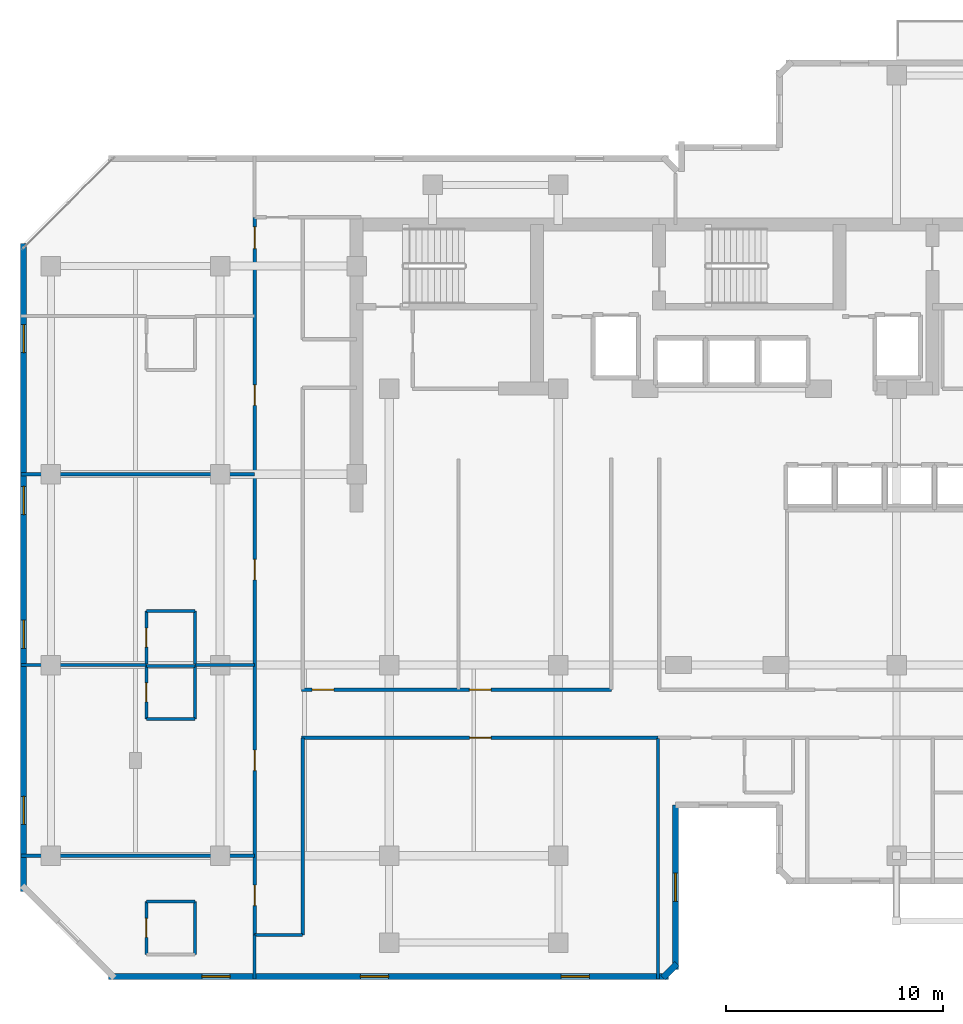
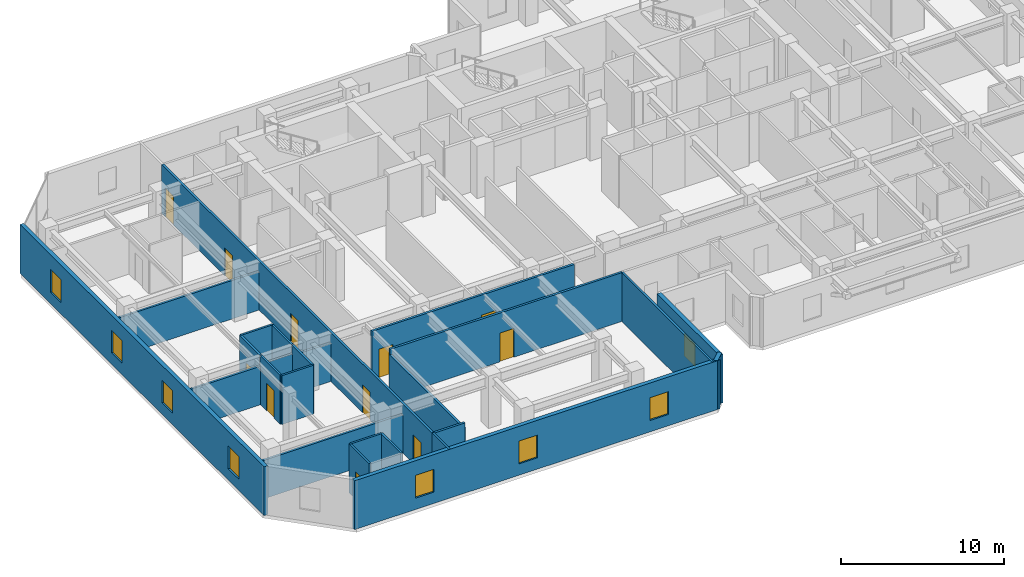
# One storey, part 4 of 10: 25 walls, 11 doors, 8 windows, 19 openings.
"""IFC4 building model written with IfcOpenShell, lengths in metres."""

from ifc_helpers import new_model, si_unit, direction, frame, frame_2d, origin, place, context, subcontext, project, spatial, rectangle, extrude, material, layer, layer_set, type_object, element, fill, save


model = new_model("IFC4")

# Units and contexts
model_context = context("Model", 3, precision=1e-05, world=origin(), true_north=direction((0.0, 1.0)))
body_context = subcontext(model_context, "Body", "Model", "MODEL_VIEW")
ifc_project = project(units=[si_unit("LENGTHUNIT", "METRE"), si_unit("AREAUNIT", "SQUARE_METRE"), si_unit("VOLUMEUNIT", "CUBIC_METRE"), si_unit("PLANEANGLEUNIT", "RADIAN"), si_unit("MASSUNIT", "GRAM", prefix="KILO")], contexts=[model_context])

# Site, building, storey
site_placement = place(None, origin())
site = spatial("IfcSite", under=ifc_project, at=site_placement, CompositionType="ELEMENT")
building_placement = place(site_placement, origin())
building = spatial("IfcBuilding", under=site, at=building_placement, Name="Kestravale Grand Hotel", CompositionType="ELEMENT")
storey_placement = place(building_placement, frame((0.0, 0.0, 224.10009765625)))
storey = spatial("IfcBuildingStorey", under=building, at=storey_placement, Name="L56", CompositionType="ELEMENT", Elevation=224.10009765625)

# Wall, openings, windows
ifc_material_1 = material(Name="Precast concrete f'c 45 MPa", Category="concrete")
ifc_layer_1 = layer(ifc_material_1, 0.280029296875)
ifc_layer_set_1 = layer_set([ifc_layer_1], Name="EW-PREC-280")
wall_type_1 = type_object("IfcWallType", Name="EW-PREC-280", PredefinedType="SOLIDWALL", material=ifc_layer_set_1)
wall_1_placement = place(storey_placement, frame((10.4599609375, 5.639892578125, 0.0), z_axis=(0.0, 0.0, 1.0), x_axis=(1.0, 0.0, 0.0)))
wall_1 = element("IfcWall", 1, at=wall_1_placement, inside=storey, type_object=wall_type_1, Name="L56 fluted precast facade wall 1", PredefinedType="SOLIDWALL", context=body_context, shape_type="SweptSolid", body=[
    extrude(rectangle(XDim=25.830078125, YDim=0.280029296875, at=frame_2d((12.9150390625, 0.0))), origin(), (0.0, 0.0, 1.0), 3.64990234375),
])
opening_1_placement = place(wall_1_placement, frame((4.304931640625, 0.0, 0.85009765625)))
opening_1 = element("IfcOpeningElement", 2, at=opening_1_placement, cuts=wall_1, Name="Opening W-GUEST-1300", PredefinedType="OPENING", context=body_context, shape_type="SweptSolid", body=[
    extrude(rectangle(XDim=1.300048828125, YDim=1.699951171875, at=frame_2d((0.64990234375, 0.85009765625))), frame((0.0, 0.14990234375, 0.0), z_axis=(0.0, -1.0, 0.0), x_axis=(1.0, 0.0, 0.0)), (0.0, 0.0, 1.0), 0.300048828125),
])
opening_2_placement = place(wall_1_placement, frame((11.614990234375, 0.0, 0.85009765625)))
opening_2 = element("IfcOpeningElement", 3, at=opening_2_placement, cuts=wall_1, Name="Opening W-GUEST-1300", PredefinedType="OPENING", context=body_context, shape_type="SweptSolid", body=[
    extrude(rectangle(XDim=1.300048828125, YDim=1.699951171875, at=frame_2d((0.64990234375, 0.85009765625))), frame((0.0, 0.14990234375, 0.0), z_axis=(0.0, -1.0, 0.0), x_axis=(1.0, 0.0, 0.0)), (0.0, 0.0, 1.0), 0.300048828125),
])
opening_3_placement = place(wall_1_placement, frame((20.875, 0.0, 0.85009765625)))
opening_3 = element("IfcOpeningElement", 4, at=opening_3_placement, cuts=wall_1, Name="Opening W-GUEST-1300", PredefinedType="OPENING", context=body_context, shape_type="SweptSolid", body=[
    extrude(rectangle(XDim=1.300048828125, YDim=1.699951171875, at=frame_2d((0.64990234375, 0.85009765625))), frame((0.0, 0.14990234375, 0.0), z_axis=(0.0, -1.0, 0.0), x_axis=(1.0, 0.0, 0.0)), (0.0, 0.0, 1.0), 0.300048828125),
])
ifc_material_2 = material(Name="Insulated low-E double glazing in aluminium frame", Category="aluminium")
window_type = type_object("IfcWindowType", Name="W-GUEST-1300", PartitioningType="SINGLE_PANEL", PredefinedType="WINDOW", material=ifc_material_2)
window_1_placement = place(opening_1_placement, origin())
window_1 = element("IfcWindow", 5, at=window_1_placement, inside=storey, type_object=window_type, Name="L56 exterior window 1.1", OverallHeight=1.699951171875, OverallWidth=1.300048828125, PartitioningType="SINGLE_PANEL", PredefinedType="WINDOW", context=body_context, shape_type="SweptSolid", body=[
    extrude(rectangle(XDim=1.300048828125, YDim=1.699951171875, at=frame_2d((0.64990234375, 0.85009765625))), frame((0.0, 0.030029296875, 0.0), z_axis=(0.0, -1.0, 0.0), x_axis=(1.0, 0.0, 0.0)), (0.0, 0.0, 1.0), 0.06005859375),
])
fill(opening_1, window_1)
window_2_placement = place(opening_2_placement, origin())
window_2 = element("IfcWindow", 6, at=window_2_placement, inside=storey, type_object=window_type, Name="L56 exterior window 1.2", OverallHeight=1.699951171875, OverallWidth=1.300048828125, PartitioningType="SINGLE_PANEL", PredefinedType="WINDOW", context=body_context, shape_type="SweptSolid", body=[
    extrude(rectangle(XDim=1.300048828125, YDim=1.699951171875, at=frame_2d((0.64990234375, 0.85009765625))), frame((0.0, 0.030029296875, 0.0), z_axis=(0.0, -1.0, 0.0), x_axis=(1.0, 0.0, 0.0)), (0.0, 0.0, 1.0), 0.06005859375),
])
fill(opening_2, window_2)
window_3_placement = place(opening_3_placement, origin())
window_3 = element("IfcWindow", 7, at=window_3_placement, inside=storey, type_object=window_type, Name="L56 exterior window 1.3", OverallHeight=1.699951171875, OverallWidth=1.300048828125, PartitioningType="SINGLE_PANEL", PredefinedType="WINDOW", context=body_context, shape_type="SweptSolid", body=[
    extrude(rectangle(XDim=1.300048828125, YDim=1.699951171875, at=frame_2d((0.64990234375, 0.85009765625))), frame((0.0, 0.030029296875, 0.0), z_axis=(0.0, -1.0, 0.0), x_axis=(1.0, 0.0, 0.0)), (0.0, 0.0, 1.0), 0.06005859375),
])
fill(opening_3, window_3)

# Wall
wall_2_placement = place(storey_placement, frame((36.022705078125, 5.57080078125, 0.0), z_axis=(0.0, 0.0, 1.0), x_axis=(0.707106781187, 0.707106781187, 0.0)))
element("IfcWall", 8, at=wall_2_placement, inside=storey, type_object=wall_type_1, Name="L56 fluted precast facade wall 2", PredefinedType="SOLIDWALL", context=body_context, shape_type="SweptSolid", body=[
    extrude(rectangle(XDim=0.928466796875, YDim=0.280029296875, at=frame_2d((0.46435546875, 0.0))), origin(), (0.0, 0.0, 1.0), 3.64990234375),
])

# Wall, opening, window
wall_3_placement = place(storey_placement, frame((36.610107421875, 5.9599609375, 0.0), z_axis=(0.0, 0.0, 1.0), x_axis=(0.0, 1.0, 0.0)))
wall_3 = element("IfcWall", 9, at=wall_3_placement, inside=storey, type_object=wall_type_1, Name="L56 fluted precast facade wall 3", PredefinedType="SOLIDWALL", context=body_context, shape_type="SweptSolid", body=[
    extrude(rectangle(XDim=7.580078125, YDim=0.280029296875, at=frame_2d((3.7900390625, 0.0))), origin(), (0.0, 0.0, 1.0), 3.64990234375),
])
opening_4_placement = place(wall_3_placement, frame((3.139892578125, 0.0, 0.85009765625)))
opening_4 = element("IfcOpeningElement", 10, at=opening_4_placement, cuts=wall_3, Name="Opening W-GUEST-1300", PredefinedType="OPENING", context=body_context, shape_type="SweptSolid", body=[
    extrude(rectangle(XDim=1.300048828125, YDim=1.699951171875, at=frame_2d((0.64990234375, 0.85009765625))), frame((0.0, 0.14990234375, 0.0), z_axis=(0.0, -1.0, 0.0), x_axis=(1.0, 0.0, 0.0)), (0.0, 0.0, 1.0), 0.300048828125),
])
window_4_placement = place(opening_4_placement, origin())
window_4 = element("IfcWindow", 11, at=window_4_placement, inside=storey, type_object=window_type, Name="L56 exterior window 3.1", OverallHeight=1.699951171875, OverallWidth=1.300048828125, PartitioningType="SINGLE_PANEL", PredefinedType="WINDOW", context=body_context, shape_type="SweptSolid", body=[
    extrude(rectangle(XDim=1.300048828125, YDim=1.699951171875, at=frame_2d((0.64990234375, 0.85009765625))), frame((0.0, 0.030029296875, 0.0), z_axis=(0.0, -1.0, 0.0), x_axis=(1.0, 0.0, 0.0)), (0.0, 0.0, 1.0), 0.06005859375),
])
fill(opening_4, window_4)

# Wall, openings, windows
wall_4_placement = place(storey_placement, frame((6.5400390625, 39.43994140625, 0.0), z_axis=(0.0, 0.0, 1.0), x_axis=(0.0, -1.0, 0.0)))
wall_4 = element("IfcWall", 12, at=wall_4_placement, inside=storey, type_object=wall_type_1, Name="L56 fluted precast facade wall 19", PredefinedType="SOLIDWALL", context=body_context, shape_type="SweptSolid", body=[
    extrude(rectangle(XDim=29.8798828125, YDim=0.280029296875, at=frame_2d((14.93994140625, 0.0))), origin(), (0.0, 0.0, 1.0), 3.64990234375),
])
opening_5_placement = place(wall_4_placement, frame((3.735107421875, 0.0, 0.85009765625)))
opening_5 = element("IfcOpeningElement", 13, at=opening_5_placement, cuts=wall_4, Name="Opening W-GUEST-1300", PredefinedType="OPENING", context=body_context, shape_type="SweptSolid", body=[
    extrude(rectangle(XDim=1.300048828125, YDim=1.699951171875, at=frame_2d((0.64990234375, 0.85009765625))), frame((0.0, 0.14990234375, 0.0), z_axis=(0.0, -1.0, 0.0), x_axis=(1.0, 0.0, 0.0)), (0.0, 0.0, 1.0), 0.300048828125),
])
opening_6_placement = place(wall_4_placement, frame((11.205078125, 0.0, 0.85009765625)))
opening_6 = element("IfcOpeningElement", 14, at=opening_6_placement, cuts=wall_4, Name="Opening W-GUEST-1300", PredefinedType="OPENING", context=body_context, shape_type="SweptSolid", body=[
    extrude(rectangle(XDim=1.300048828125, YDim=1.699951171875, at=frame_2d((0.64990234375, 0.85009765625))), frame((0.0, 0.14990234375, 0.0), z_axis=(0.0, -1.0, 0.0), x_axis=(1.0, 0.0, 0.0)), (0.0, 0.0, 1.0), 0.300048828125),
])
opening_7_placement = place(wall_4_placement, frame((17.375, 0.0, 0.85009765625)))
opening_7 = element("IfcOpeningElement", 15, at=opening_7_placement, cuts=wall_4, Name="Opening W-GUEST-1300", PredefinedType="OPENING", context=body_context, shape_type="SweptSolid", body=[
    extrude(rectangle(XDim=1.300048828125, YDim=1.699951171875, at=frame_2d((0.64990234375, 0.85009765625))), frame((0.0, 0.14990234375, 0.0), z_axis=(0.0, -1.0, 0.0), x_axis=(1.0, 0.0, 0.0)), (0.0, 0.0, 1.0), 0.300048828125),
])
opening_8_placement = place(wall_4_placement, frame((25.4951171875, 0.0, 0.85009765625)))
opening_8 = element("IfcOpeningElement", 16, at=opening_8_placement, cuts=wall_4, Name="Opening W-GUEST-1300", PredefinedType="OPENING", context=body_context, shape_type="SweptSolid", body=[
    extrude(rectangle(XDim=1.300048828125, YDim=1.699951171875, at=frame_2d((0.64990234375, 0.85009765625))), frame((0.0, 0.14990234375, 0.0), z_axis=(0.0, -1.0, 0.0), x_axis=(1.0, 0.0, 0.0)), (0.0, 0.0, 1.0), 0.300048828125),
])
window_5_placement = place(opening_5_placement, origin())
window_5 = element("IfcWindow", 17, at=window_5_placement, inside=storey, type_object=window_type, Name="L56 exterior window 19.1", OverallHeight=1.699951171875, OverallWidth=1.300048828125, PartitioningType="SINGLE_PANEL", PredefinedType="WINDOW", context=body_context, shape_type="SweptSolid", body=[
    extrude(rectangle(XDim=1.300048828125, YDim=1.699951171875, at=frame_2d((0.64990234375, 0.85009765625))), frame((0.0, 0.030029296875, 0.0), z_axis=(0.0, -1.0, 0.0), x_axis=(1.0, 0.0, 0.0)), (0.0, 0.0, 1.0), 0.06005859375),
])
fill(opening_5, window_5)
window_6_placement = place(opening_6_placement, origin())
window_6 = element("IfcWindow", 18, at=window_6_placement, inside=storey, type_object=window_type, Name="L56 exterior window 19.2", OverallHeight=1.699951171875, OverallWidth=1.300048828125, PartitioningType="SINGLE_PANEL", PredefinedType="WINDOW", context=body_context, shape_type="SweptSolid", body=[
    extrude(rectangle(XDim=1.300048828125, YDim=1.699951171875, at=frame_2d((0.64990234375, 0.85009765625))), frame((0.0, 0.030029296875, 0.0), z_axis=(0.0, -1.0, 0.0), x_axis=(1.0, 0.0, 0.0)), (0.0, 0.0, 1.0), 0.06005859375),
])
fill(opening_6, window_6)
window_7_placement = place(opening_7_placement, origin())
window_7 = element("IfcWindow", 19, at=window_7_placement, inside=storey, type_object=window_type, Name="L56 exterior window 19.3", OverallHeight=1.699951171875, OverallWidth=1.300048828125, PartitioningType="SINGLE_PANEL", PredefinedType="WINDOW", context=body_context, shape_type="SweptSolid", body=[
    extrude(rectangle(XDim=1.300048828125, YDim=1.699951171875, at=frame_2d((0.64990234375, 0.85009765625))), frame((0.0, 0.030029296875, 0.0), z_axis=(0.0, -1.0, 0.0), x_axis=(1.0, 0.0, 0.0)), (0.0, 0.0, 1.0), 0.06005859375),
])
fill(opening_7, window_7)
window_8_placement = place(opening_8_placement, origin())
window_8 = element("IfcWindow", 20, at=window_8_placement, inside=storey, type_object=window_type, Name="L56 exterior window 19.4", OverallHeight=1.699951171875, OverallWidth=1.300048828125, PartitioningType="SINGLE_PANEL", PredefinedType="WINDOW", context=body_context, shape_type="SweptSolid", body=[
    extrude(rectangle(XDim=1.300048828125, YDim=1.699951171875, at=frame_2d((0.64990234375, 0.85009765625))), frame((0.0, 0.030029296875, 0.0), z_axis=(0.0, -1.0, 0.0), x_axis=(1.0, 0.0, 0.0)), (0.0, 0.0, 1.0), 0.06005859375),
])
fill(opening_8, window_8)

# Wall, openings, doors
ifc_material_3 = material(Name="Acoustic fire-rated gypsum board partition", Category="other")
ifc_layer_2 = layer(ifc_material_3, 0.159912109375)
ifc_layer_set_2 = layer_set([ifc_layer_2], Name="IW-CORR-160")
wall_type_2 = type_object("IfcWallType", Name="IW-CORR-160", PredefinedType="PARTITIONING", material=ifc_layer_set_2)
wall_5_placement = place(storey_placement, frame((19.35009765625, 18.860107421875, 0.0), z_axis=(0.0, 0.0, 1.0), x_axis=(1.0, 0.0, 0.0)))
wall_5 = element("IfcWall", 21, at=wall_5_placement, inside=storey, type_object=wall_type_2, Name="W-L56-CW-N", PredefinedType="PARTITIONING", context=body_context, shape_type="SweptSolid", body=[
    extrude(rectangle(XDim=14.2998046875, YDim=0.159912109375, at=frame_2d((7.14990234375, 0.0))), origin(), (0.0, 0.0, 1.0), 3.64990234375),
])
opening_9_placement = place(wall_5_placement, frame((0.5, 0.0, 0.0)))
opening_9 = element("IfcOpeningElement", 22, at=opening_9_placement, cuts=wall_5, Name="Opening D-GUEST-1000", PredefinedType="OPENING", context=body_context, shape_type="SweptSolid", body=[
    extrude(rectangle(XDim=1.0, YDim=2.14990234375, at=frame_2d((0.5, 1.074951171875))), frame((0.0, 0.08984375, 0.0), z_axis=(0.0, -1.0, 0.0), x_axis=(1.0, 0.0, 0.0)), (0.0, 0.0, 1.0), 0.179931640625),
])
opening_10_placement = place(wall_5_placement, frame((7.75, 0.0, 0.0)))
opening_10 = element("IfcOpeningElement", 23, at=opening_10_placement, cuts=wall_5, Name="Opening D-GUEST-1000", PredefinedType="OPENING", context=body_context, shape_type="SweptSolid", body=[
    extrude(rectangle(XDim=1.0, YDim=2.14990234375, at=frame_2d((0.5, 1.074951171875))), frame((0.0, 0.08984375, 0.0), z_axis=(0.0, -1.0, 0.0), x_axis=(1.0, 0.0, 0.0)), (0.0, 0.0, 1.0), 0.179931640625),
])
ifc_material_4 = material(Name="Accessible walnut veneer hotel entrance fire door", Category="wood")
door_type_1 = type_object("IfcDoorType", Name="D-GUEST-1000", OperationType="NOTDEFINED", PredefinedType="DOOR", material=ifc_material_4)
door_1_placement = place(opening_9_placement, origin())
door_1 = element("IfcDoor", 24, at=door_1_placement, inside=storey, type_object=door_type_1, Name="D-L56-RECL-W1", OperationType="SINGLE_SWING_RIGHT", OverallHeight=2.14990234375, OverallWidth=1.0, PredefinedType="DOOR", context=body_context, shape_type="SweptSolid", body=[
    extrude(rectangle(XDim=1.0, YDim=2.14990234375, at=frame_2d((0.5, 1.074951171875))), frame((0.0, 0.02490234375, 0.0), z_axis=(0.0, -1.0, 0.0), x_axis=(1.0, 0.0, 0.0)), (0.0, 0.0, 1.0), 0.050048828125),
])
fill(opening_9, door_1)
door_2_placement = place(opening_10_placement, origin())
door_2 = element("IfcDoor", 25, at=door_2_placement, inside=storey, type_object=door_type_1, Name="D-L56-RECL-W2", OperationType="SINGLE_SWING_LEFT", OverallHeight=2.14990234375, OverallWidth=1.0, PredefinedType="DOOR", context=body_context, shape_type="SweptSolid", body=[
    extrude(rectangle(XDim=1.0, YDim=2.14990234375, at=frame_2d((0.5, 1.074951171875))), frame((0.0, 0.02490234375, 0.0), z_axis=(0.0, -1.0, 0.0), x_axis=(1.0, 0.0, 0.0)), (0.0, 0.0, 1.0), 0.050048828125),
])
fill(opening_10, door_2)

# Wall, opening, door
wall_6_placement = place(storey_placement, frame((19.35009765625, 16.639892578125, 0.0), z_axis=(0.0, 0.0, 1.0), x_axis=(1.0, 0.0, 0.0)))
wall_6 = element("IfcWall", 26, at=wall_6_placement, inside=storey, type_object=wall_type_2, Name="W-L56-CW-S", PredefinedType="PARTITIONING", context=body_context, shape_type="SweptSolid", body=[
    extrude(rectangle(XDim=16.449951171875, YDim=0.159912109375, at=frame_2d((8.22509765625, 0.0))), origin(), (0.0, 0.0, 1.0), 3.64990234375),
])
opening_11_placement = place(wall_6_placement, frame((7.7548828125, 0.0, 0.0)))
opening_11 = element("IfcOpeningElement", 27, at=opening_11_placement, cuts=wall_6, Name="Opening D-GUEST-1000", PredefinedType="OPENING", context=body_context, shape_type="SweptSolid", body=[
    extrude(rectangle(XDim=1.0, YDim=2.14990234375, at=frame_2d((0.5, 1.074951171875))), frame((0.0, 0.08984375, 0.0), z_axis=(0.0, -1.0, 0.0), x_axis=(1.0, 0.0, 0.0)), (0.0, 0.0, 1.0), 0.179931640625),
])
door_3_placement = place(opening_11_placement, origin())
door_3 = element("IfcDoor", 28, at=door_3_placement, inside=storey, type_object=door_type_1, Name="D-L56-AMW", OperationType="SINGLE_SWING_RIGHT", OverallHeight=2.14990234375, OverallWidth=1.0, PredefinedType="DOOR", context=body_context, shape_type="SweptSolid", body=[
    extrude(rectangle(XDim=1.0, YDim=2.14990234375, at=frame_2d((0.5, 1.074951171875))), frame((0.0, 0.02490234375, 0.0), z_axis=(0.0, -1.0, 0.0), x_axis=(1.0, 0.0, 0.0)), (0.0, 0.0, 1.0), 0.050048828125),
])
fill(opening_11, door_3)

# Wall, openings, doors
wall_7_placement = place(storey_placement, frame((17.18994140625, 7.550048828125, 0.0), z_axis=(0.0, 0.0, 1.0), x_axis=(0.0, 1.0, 0.0)))
wall_7 = element("IfcWall", 29, at=wall_7_placement, inside=storey, type_object=wall_type_2, Name="W-L56-SW-W", PredefinedType="PARTITIONING", context=body_context, shape_type="SweptSolid", body=[
    extrude(rectangle(XDim=33.099853515625, YDim=0.159912109375, at=frame_2d((16.5498046875, 0.0))), origin(), (0.0, 0.0, 1.0), 3.64990234375),
])
opening_12_placement = place(wall_7_placement, frame((1.35009765625, 0.0, 0.0)))
opening_12 = element("IfcOpeningElement", 30, at=opening_12_placement, cuts=wall_7, Name="Opening D-GUEST-950", PredefinedType="OPENING", context=body_context, shape_type="SweptSolid", body=[
    extrude(rectangle(XDim=0.949951171875, YDim=2.10009765625, at=frame_2d((0.47509765625, 1.050048828125))), frame((0.0, 0.08984375, 0.0), z_axis=(0.0, -1.0, 0.0), x_axis=(1.0, 0.0, 0.0)), (0.0, 0.0, 1.0), 0.179931640625),
])
opening_13_placement = place(wall_7_placement, frame((7.574951171875, 0.0, 0.0)))
opening_13 = element("IfcOpeningElement", 31, at=opening_13_placement, cuts=wall_7, Name="Opening D-GUEST-950", PredefinedType="OPENING", context=body_context, shape_type="SweptSolid", body=[
    extrude(rectangle(XDim=0.949951171875, YDim=2.10009765625, at=frame_2d((0.47509765625, 1.050048828125))), frame((0.0, 0.08984375, 0.0), z_axis=(0.0, -1.0, 0.0), x_axis=(1.0, 0.0, 0.0)), (0.0, 0.0, 1.0), 0.179931640625),
])
opening_14_placement = place(wall_7_placement, frame((16.375, 0.0, 0.0)))
opening_14 = element("IfcOpeningElement", 32, at=opening_14_placement, cuts=wall_7, Name="Opening D-GUEST-950", PredefinedType="OPENING", context=body_context, shape_type="SweptSolid", body=[
    extrude(rectangle(XDim=0.949951171875, YDim=2.10009765625, at=frame_2d((0.47509765625, 1.050048828125))), frame((0.0, 0.08984375, 0.0), z_axis=(0.0, -1.0, 0.0), x_axis=(1.0, 0.0, 0.0)), (0.0, 0.0, 1.0), 0.179931640625),
])
opening_15_placement = place(wall_7_placement, frame((24.425048828125, 0.0, 0.0)))
opening_15 = element("IfcOpeningElement", 33, at=opening_15_placement, cuts=wall_7, Name="Opening D-GUEST-950", PredefinedType="OPENING", context=body_context, shape_type="SweptSolid", body=[
    extrude(rectangle(XDim=0.949951171875, YDim=2.10009765625, at=frame_2d((0.47509765625, 1.050048828125))), frame((0.0, 0.08984375, 0.0), z_axis=(0.0, -1.0, 0.0), x_axis=(1.0, 0.0, 0.0)), (0.0, 0.0, 1.0), 0.179931640625),
])
opening_16_placement = place(wall_7_placement, frame((31.659912109375, 0.0, 0.0)))
opening_16 = element("IfcOpeningElement", 34, at=opening_16_placement, cuts=wall_7, Name="Opening D-GUEST-1000", PredefinedType="OPENING", context=body_context, shape_type="SweptSolid", body=[
    extrude(rectangle(XDim=1.0, YDim=2.14990234375, at=frame_2d((0.5, 1.074951171875))), frame((0.0, 0.08984375, 0.0), z_axis=(0.0, -1.0, 0.0), x_axis=(1.0, 0.0, 0.0)), (0.0, 0.0, 1.0), 0.179931640625),
])
door_4_placement = place(opening_16_placement, origin())
door_4 = element("IfcDoor", 35, at=door_4_placement, inside=storey, type_object=door_type_1, Name="D-L56-AMWW", OperationType="SINGLE_SWING_RIGHT", OverallHeight=2.14990234375, OverallWidth=1.0, PredefinedType="DOOR", context=body_context, shape_type="SweptSolid", body=[
    extrude(rectangle(XDim=1.0, YDim=2.14990234375, at=frame_2d((0.5, 1.074951171875))), frame((0.0, 0.02490234375, 0.0), z_axis=(0.0, -1.0, 0.0), x_axis=(1.0, 0.0, 0.0)), (0.0, 0.0, 1.0), 0.050048828125),
])
fill(opening_16, door_4)
ifc_material_5 = material(Name="Walnut veneer hotel guestroom entrance fire door", Category="wood")
door_type_2 = type_object("IfcDoorType", Name="D-GUEST-950", OperationType="NOTDEFINED", PredefinedType="DOOR", material=ifc_material_5)
door_5_placement = place(opening_12_placement, origin())
door_5 = element("IfcDoor", 36, at=door_5_placement, inside=storey, type_object=door_type_2, Name="D-L56-U04-ENT", OperationType="SINGLE_SWING_LEFT", OverallHeight=2.10009765625, OverallWidth=0.949951171875, PredefinedType="DOOR", context=body_context, shape_type="SweptSolid", body=[
    extrude(rectangle(XDim=0.949951171875, YDim=2.10009765625, at=frame_2d((0.47509765625, 1.050048828125))), frame((0.0, 0.02490234375, 0.0), z_axis=(0.0, -1.0, 0.0), x_axis=(1.0, 0.0, 0.0)), (0.0, 0.0, 1.0), 0.050048828125),
])
fill(opening_12, door_5)
door_6_placement = place(opening_13_placement, origin())
door_6 = element("IfcDoor", 37, at=door_6_placement, inside=storey, type_object=door_type_2, Name="D-L56-U05-ENT", OperationType="SINGLE_SWING_LEFT", OverallHeight=2.10009765625, OverallWidth=0.949951171875, PredefinedType="DOOR", context=body_context, shape_type="SweptSolid", body=[
    extrude(rectangle(XDim=0.949951171875, YDim=2.10009765625, at=frame_2d((0.47509765625, 1.050048828125))), frame((0.0, 0.02490234375, 0.0), z_axis=(0.0, -1.0, 0.0), x_axis=(1.0, 0.0, 0.0)), (0.0, 0.0, 1.0), 0.050048828125),
])
fill(opening_13, door_6)
door_7_placement = place(opening_14_placement, origin())
door_7 = element("IfcDoor", 38, at=door_7_placement, inside=storey, type_object=door_type_2, Name="D-L56-U06-ENT", OperationType="SINGLE_SWING_LEFT", OverallHeight=2.10009765625, OverallWidth=0.949951171875, PredefinedType="DOOR", context=body_context, shape_type="SweptSolid", body=[
    extrude(rectangle(XDim=0.949951171875, YDim=2.10009765625, at=frame_2d((0.47509765625, 1.050048828125))), frame((0.0, 0.02490234375, 0.0), z_axis=(0.0, -1.0, 0.0), x_axis=(1.0, 0.0, 0.0)), (0.0, 0.0, 1.0), 0.050048828125),
])
fill(opening_14, door_7)
door_8_placement = place(opening_15_placement, origin())
door_8 = element("IfcDoor", 39, at=door_8_placement, inside=storey, type_object=door_type_2, Name="D-L56-U07-ENT", OperationType="SINGLE_SWING_LEFT", OverallHeight=2.10009765625, OverallWidth=0.949951171875, PredefinedType="DOOR", context=body_context, shape_type="SweptSolid", body=[
    extrude(rectangle(XDim=0.949951171875, YDim=2.10009765625, at=frame_2d((0.47509765625, 1.050048828125))), frame((0.0, 0.02490234375, 0.0), z_axis=(0.0, -1.0, 0.0), x_axis=(1.0, 0.0, 0.0)), (0.0, 0.0, 1.0), 0.050048828125),
])
fill(opening_15, door_8)

# Wall
wall_8_placement = place(storey_placement, frame((19.409912109375, 7.550048828125, 0.0), z_axis=(0.0, 0.0, 1.0), x_axis=(0.0, 1.0, 0.0)))
element("IfcWall", 40, at=wall_8_placement, inside=storey, type_object=wall_type_2, Name="W-L56-SW-E", PredefinedType="PARTITIONING", context=body_context, shape_type="SweptSolid", body=[
    extrude(rectangle(XDim=9.08984375, YDim=0.159912109375, at=frame_2d((4.544921875, 0.0))), origin(), (0.0, 0.0, 1.0), 3.245849609375),
])

# Wall, opening, door
ifc_material_6 = material(Name="Moisture-resistant tile-backer plumbing chase wall", Category="other")
ifc_layer_3 = layer(ifc_material_6, 0.139892578125)
ifc_layer_set_3 = layer_set([ifc_layer_3], Name="IW-PLB-140")
wall_type_3 = type_object("IfcWallType", Name="IW-PLB-140", PredefinedType="PLUMBINGWALL", material=ifc_layer_set_3)
wall_9_placement = place(storey_placement, frame((12.199951171875, 6.64990234375, 0.0), z_axis=(0.0, 0.0, 1.0), x_axis=(0.0, 1.0, 0.0)))
wall_9 = element("IfcWall", 41, at=wall_9_placement, inside=storey, type_object=wall_type_3, Name="W-L56-U04-BW", PredefinedType="PLUMBINGWALL", context=body_context, shape_type="SweptSolid", body=[
    extrude(rectangle(XDim=2.4501953125, YDim=0.139892578125, at=frame_2d((1.22509765625, 0.0))), origin(), (0.0, 0.0, 1.0), 3.64990234375),
])
opening_17_placement = place(wall_9_placement, frame((0.784912109375, 0.0, 0.0)))
opening_17 = element("IfcOpeningElement", 42, at=opening_17_placement, cuts=wall_9, Name="Opening D-BATH-880", PredefinedType="OPENING", context=body_context, shape_type="SweptSolid", body=[
    extrude(rectangle(XDim=0.8798828125, YDim=2.050048828125, at=frame_2d((0.43994140625, 1.02490234375))), frame((0.0, 0.079833984375, 0.0), z_axis=(0.0, -1.0, 0.0), x_axis=(1.0, 0.0, 0.0)), (0.0, 0.0, 1.0), 0.159912109375),
])
ifc_material_7 = material(Name="Moisture-sealed walnut en-suite bathroom door", Category="wood")
door_type_3 = type_object("IfcDoorType", Name="D-BATH-880", OperationType="NOTDEFINED", PredefinedType="DOOR", material=ifc_material_7)
door_9_placement = place(opening_17_placement, origin())
door_9 = element("IfcDoor", 43, at=door_9_placement, inside=storey, type_object=door_type_3, Name="D-L56-U04-BATH", OperationType="SINGLE_SWING_RIGHT", OverallHeight=2.050048828125, OverallWidth=0.8798828125, PredefinedType="DOOR", context=body_context, shape_type="SweptSolid", body=[
    extrude(rectangle(XDim=0.8798828125, YDim=2.050048828125, at=frame_2d((0.43994140625, 1.02490234375))), frame((0.0, 0.02490234375, 0.0), z_axis=(0.0, -1.0, 0.0), x_axis=(1.0, 0.0, 0.0)), (0.0, 0.0, 1.0), 0.050048828125),
])
fill(opening_17, door_9)

# Walls
wall_10_placement = place(storey_placement, frame((14.449951171875, 6.64990234375, 0.0), z_axis=(0.0, 0.0, 1.0), x_axis=(0.0, 1.0, 0.0)))
element("IfcWall", 44, at=wall_10_placement, inside=storey, type_object=wall_type_3, Name="W-L56-U04-BE", PredefinedType="PLUMBINGWALL", context=body_context, shape_type="SweptSolid", body=[
    extrude(rectangle(XDim=2.4501953125, YDim=0.139892578125, at=frame_2d((1.22509765625, 0.0))), origin(), (0.0, 0.0, 1.0), 3.64990234375),
])
wall_11_placement = place(storey_placement, frame((12.199951171875, 9.10009765625, 0.0), z_axis=(0.0, 0.0, 1.0), x_axis=(1.0, 0.0, 0.0)))
element("IfcWall", 45, at=wall_11_placement, inside=storey, type_object=wall_type_3, Name="W-L56-U04-BN", PredefinedType="PLUMBINGWALL", context=body_context, shape_type="SweptSolid", body=[
    extrude(rectangle(XDim=2.25, YDim=0.139892578125, at=frame_2d((1.125, 0.0))), origin(), (0.0, 0.0, 1.0), 3.64990234375),
])

# Wall, opening, door
wall_12_placement = place(storey_placement, frame((12.199951171875, 17.510009765625, 0.0), z_axis=(0.0, 0.0, 1.0), x_axis=(0.0, 1.0, 0.0)))
wall_12 = element("IfcWall", 46, at=wall_12_placement, inside=storey, type_object=wall_type_3, Name="W-L56-U05-BW", PredefinedType="PLUMBINGWALL", context=body_context, shape_type="SweptSolid", body=[
    extrude(rectangle(XDim=2.449951171875, YDim=0.139892578125, at=frame_2d((1.22509765625, 0.0))), origin(), (0.0, 0.0, 1.0), 3.64990234375),
])
opening_18_placement = place(wall_12_placement, frame((0.784912109375, 0.0, 0.0)))
opening_18 = element("IfcOpeningElement", 47, at=opening_18_placement, cuts=wall_12, Name="Opening D-BATH-880", PredefinedType="OPENING", context=body_context, shape_type="SweptSolid", body=[
    extrude(rectangle(XDim=0.8798828125, YDim=2.050048828125, at=frame_2d((0.43994140625, 1.02490234375))), frame((0.0, 0.079833984375, 0.0), z_axis=(0.0, -1.0, 0.0), x_axis=(1.0, 0.0, 0.0)), (0.0, 0.0, 1.0), 0.159912109375),
])
door_10_placement = place(opening_18_placement, origin())
door_10 = element("IfcDoor", 48, at=door_10_placement, inside=storey, type_object=door_type_3, Name="D-L56-U05-BATH", OperationType="SINGLE_SWING_RIGHT", OverallHeight=2.050048828125, OverallWidth=0.8798828125, PredefinedType="DOOR", context=body_context, shape_type="SweptSolid", body=[
    extrude(rectangle(XDim=0.8798828125, YDim=2.050048828125, at=frame_2d((0.43994140625, 1.02490234375))), frame((0.0, 0.02490234375, 0.0), z_axis=(0.0, -1.0, 0.0), x_axis=(1.0, 0.0, 0.0)), (0.0, 0.0, 1.0), 0.050048828125),
])
fill(opening_18, door_10)

# Walls
wall_13_placement = place(storey_placement, frame((14.449951171875, 17.510009765625, 0.0), z_axis=(0.0, 0.0, 1.0), x_axis=(0.0, 1.0, 0.0)))
element("IfcWall", 49, at=wall_13_placement, inside=storey, type_object=wall_type_3, Name="W-L56-U05-BE", PredefinedType="PLUMBINGWALL", context=body_context, shape_type="SweptSolid", body=[
    extrude(rectangle(XDim=2.449951171875, YDim=0.139892578125, at=frame_2d((1.22509765625, 0.0))), origin(), (0.0, 0.0, 1.0), 3.64990234375),
])
wall_14_placement = place(storey_placement, frame((12.199951171875, 17.510009765625, 0.0), z_axis=(0.0, 0.0, 1.0), x_axis=(1.0, 0.0, 0.0)))
element("IfcWall", 50, at=wall_14_placement, inside=storey, type_object=wall_type_3, Name="W-L56-U05-BS", PredefinedType="PLUMBINGWALL", context=body_context, shape_type="SweptSolid", body=[
    extrude(rectangle(XDim=2.25, YDim=0.139892578125, at=frame_2d((1.125, 0.0))), origin(), (0.0, 0.0, 1.0), 3.64990234375),
])
wall_15_placement = place(storey_placement, frame((12.199951171875, 19.9599609375, 0.0), z_axis=(0.0, 0.0, 1.0), x_axis=(1.0, 0.0, 0.0)))
element("IfcWall", 51, at=wall_15_placement, inside=storey, type_object=wall_type_3, Name="W-L56-U05-BN", PredefinedType="PLUMBINGWALL", context=body_context, shape_type="SweptSolid", body=[
    extrude(rectangle(XDim=2.25, YDim=0.139892578125, at=frame_2d((1.125, 0.0))), origin(), (0.0, 0.0, 1.0), 3.037841796875),
])

# Wall, opening, door
wall_16_placement = place(storey_placement, frame((12.199951171875, 20.0400390625, 0.0), z_axis=(0.0, 0.0, 1.0), x_axis=(0.0, 1.0, 0.0)))
wall_16 = element("IfcWall", 52, at=wall_16_placement, inside=storey, type_object=wall_type_3, Name="W-L56-U06-BW", PredefinedType="PLUMBINGWALL", context=body_context, shape_type="SweptSolid", body=[
    extrude(rectangle(XDim=2.449951171875, YDim=0.139892578125, at=frame_2d((1.22509765625, 0.0))), origin(), (0.0, 0.0, 1.0), 3.64990234375),
])
opening_19_placement = place(wall_16_placement, frame((0.784912109375, 0.0, 0.0)))
opening_19 = element("IfcOpeningElement", 53, at=opening_19_placement, cuts=wall_16, Name="Opening D-BATH-880", PredefinedType="OPENING", context=body_context, shape_type="SweptSolid", body=[
    extrude(rectangle(XDim=0.8798828125, YDim=2.050048828125, at=frame_2d((0.43994140625, 1.02490234375))), frame((0.0, 0.079833984375, 0.0), z_axis=(0.0, -1.0, 0.0), x_axis=(1.0, 0.0, 0.0)), (0.0, 0.0, 1.0), 0.159912109375),
])
door_11_placement = place(opening_19_placement, origin())
door_11 = element("IfcDoor", 54, at=door_11_placement, inside=storey, type_object=door_type_3, Name="D-L56-U06-BATH", OperationType="SINGLE_SWING_RIGHT", OverallHeight=2.050048828125, OverallWidth=0.8798828125, PredefinedType="DOOR", context=body_context, shape_type="SweptSolid", body=[
    extrude(rectangle(XDim=0.8798828125, YDim=2.050048828125, at=frame_2d((0.43994140625, 1.02490234375))), frame((0.0, 0.02490234375, 0.0), z_axis=(0.0, -1.0, 0.0), x_axis=(1.0, 0.0, 0.0)), (0.0, 0.0, 1.0), 0.050048828125),
])
fill(opening_19, door_11)

# Walls
wall_17_placement = place(storey_placement, frame((14.449951171875, 20.0400390625, 0.0), z_axis=(0.0, 0.0, 1.0), x_axis=(0.0, 1.0, 0.0)))
element("IfcWall", 55, at=wall_17_placement, inside=storey, type_object=wall_type_3, Name="W-L56-U06-BE", PredefinedType="PLUMBINGWALL", context=body_context, shape_type="SweptSolid", body=[
    extrude(rectangle(XDim=2.449951171875, YDim=0.139892578125, at=frame_2d((1.22509765625, 0.0))), origin(), (0.0, 0.0, 1.0), 3.64990234375),
])
wall_18_placement = place(storey_placement, frame((12.199951171875, 22.489990234375, 0.0), z_axis=(0.0, 0.0, 1.0), x_axis=(1.0, 0.0, 0.0)))
element("IfcWall", 56, at=wall_18_placement, inside=storey, type_object=wall_type_3, Name="W-L56-U06-BN", PredefinedType="PLUMBINGWALL", context=body_context, shape_type="SweptSolid", body=[
    extrude(rectangle(XDim=2.25, YDim=0.139892578125, at=frame_2d((1.125, 0.0))), origin(), (0.0, 0.0, 1.0), 3.64990234375),
])
ifc_material_8 = material(Name="Double-stud STC 52 acoustic demising partition", Category="other")
ifc_layer_4 = layer(ifc_material_8, 0.14990234375)
ifc_layer_set_4 = layer_set([ifc_layer_4], Name="IW-UNIT-150")
wall_type_4 = type_object("IfcWallType", Name="IW-UNIT-150", PredefinedType="PARTITIONING", material=ifc_layer_set_4)
wall_19_placement = place(storey_placement, frame((17.18994140625, 7.550048828125, 0.0), z_axis=(0.0, 0.0, 1.0), x_axis=(1.0, 0.0, 0.0)))
element("IfcWall", 57, at=wall_19_placement, inside=storey, type_object=wall_type_4, Name="W-L56-SW-S", PredefinedType="PARTITIONING", context=body_context, shape_type="SweptSolid", body=[
    extrude(rectangle(XDim=2.219970703125, YDim=0.14990234375, at=frame_2d((1.10986328125, 0.0))), origin(), (0.0, 0.0, 1.0), 3.64990234375),
])
wall_20_placement = place(storey_placement, frame((35.800048828125, 5.52001953125, 0.0), z_axis=(0.0, 0.0, 1.0), x_axis=(0.0, 1.0, 0.0)))
element("IfcWall", 58, at=wall_20_placement, inside=storey, type_object=wall_type_4, Name="W-L56-MID-S", PredefinedType="PARTITIONING", context=body_context, shape_type="SweptSolid", body=[
    extrude(rectangle(XDim=11.10009765625, YDim=0.14990234375, at=frame_2d((5.550048828125, 0.0))), origin(), (0.0, 0.0, 1.0), 3.64990234375),
])
wall_21_placement = place(storey_placement, frame((17.18994140625, 5.52001953125, 0.0), z_axis=(0.0, 0.0, 1.0), x_axis=(0.0, 1.0, 0.0)))
element("IfcWall", 59, at=wall_21_placement, inside=storey, type_object=wall_type_4, Name="W-L56-SW-EXT", PredefinedType="PARTITIONING", context=body_context, shape_type="SweptSolid", body=[
    extrude(rectangle(XDim=2.030029296875, YDim=0.14990234375, at=frame_2d((1.01513671875, 0.0))), origin(), (0.0, 0.0, 1.0), 3.64990234375),
])
wall_22_placement = place(storey_placement, frame((6.419921875, 11.199951171875, 0.0), z_axis=(0.0, 0.0, 1.0), x_axis=(1.0, 0.0, 0.0)))
element("IfcWall", 60, at=wall_22_placement, inside=storey, type_object=wall_type_4, Name="W-L56-WW-1", PredefinedType="PARTITIONING", context=body_context, shape_type="SweptSolid", body=[
    extrude(rectangle(XDim=10.77001953125, YDim=0.14990234375, at=frame_2d((5.385009765625, 0.0))), origin(), (0.0, 0.0, 1.0), 2.8779296875),
])
wall_23_placement = place(storey_placement, frame((6.419921875, 20.0, 0.0), z_axis=(0.0, 0.0, 1.0), x_axis=(1.0, 0.0, 0.0)))
element("IfcWall", 61, at=wall_23_placement, inside=storey, type_object=wall_type_4, Name="W-L56-WW-2", PredefinedType="PARTITIONING", context=body_context, shape_type="SweptSolid", body=[
    extrude(rectangle(XDim=5.780029296875, YDim=0.14990234375, at=frame_2d((2.89013671875, 0.0))), origin(), (0.0, 0.0, 1.0), 2.8779296875),
])
wall_24_placement = place(storey_placement, frame((14.449951171875, 20.0, 0.0), z_axis=(0.0, 0.0, 1.0), x_axis=(1.0, 0.0, 0.0)))
element("IfcWall", 62, at=wall_24_placement, inside=storey, type_object=wall_type_4, Name="W-L56-WW-2", PredefinedType="PARTITIONING", context=body_context, shape_type="SweptSolid", body=[
    extrude(rectangle(XDim=2.739990234375, YDim=0.14990234375, at=frame_2d((1.3701171875, 0.0))), origin(), (0.0, 0.0, 1.0), 2.8779296875),
])
wall_25_placement = place(storey_placement, frame((6.419921875, 28.800048828125, 0.0), z_axis=(0.0, 0.0, 1.0), x_axis=(1.0, 0.0, 0.0)))
element("IfcWall", 63, at=wall_25_placement, inside=storey, type_object=wall_type_4, Name="W-L56-WW-3", PredefinedType="PARTITIONING", context=body_context, shape_type="SweptSolid", body=[
    extrude(rectangle(XDim=10.77001953125, YDim=0.14990234375, at=frame_2d((5.385009765625, 0.0))), origin(), (0.0, 0.0, 1.0), 2.8779296875),
])

save(model, "model.ifc")
